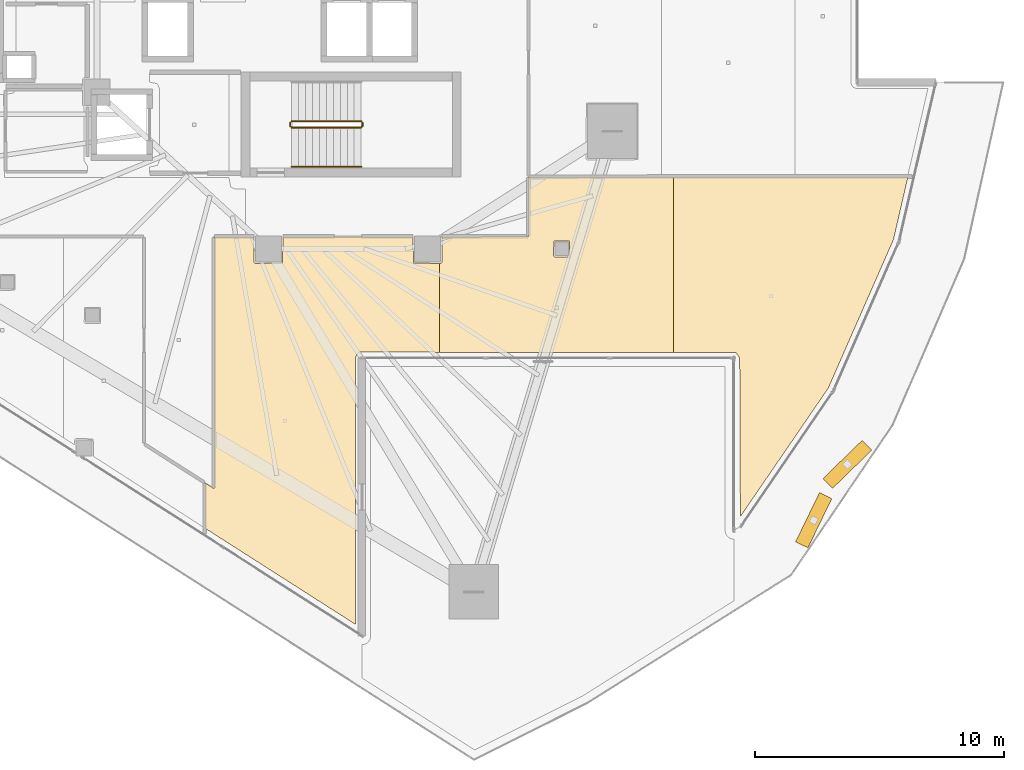
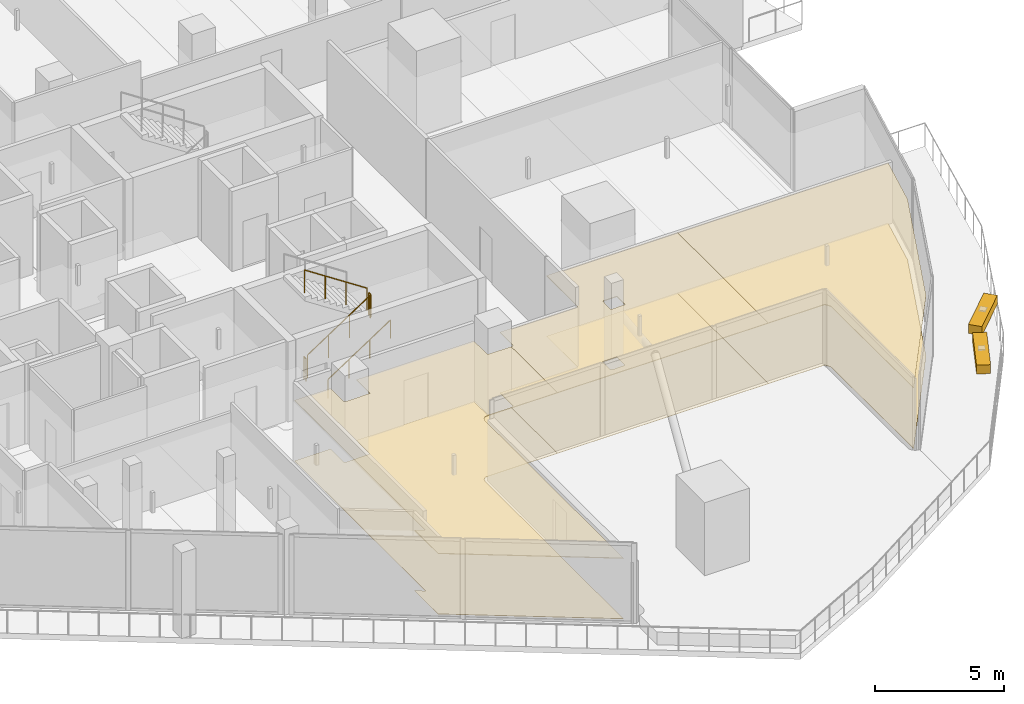
# One storey, part 34 of 38: 6 coverings, 5 railings, 2 shading devices.
"""IFC4 building model written with IfcOpenShell, lengths in metres."""

from ifc_helpers import new_model, si_unit, direction, frame, origin, origin_2d, place, context, subcontext, project, spatial, polyline, rectangle, circle, outline, extrude, material, layer, layer_set, type_object, element, save


model = new_model("IFC4")

# Units and contexts
model_context = context("Model", 3, precision=1e-05, world=origin(), true_north=direction((0.0, 1.0)))
body_context = subcontext(model_context, "Body", "Model", "MODEL_VIEW")
ifc_project = project(units=[si_unit("LENGTHUNIT", "METRE"), si_unit("AREAUNIT", "SQUARE_METRE"), si_unit("VOLUMEUNIT", "CUBIC_METRE"), si_unit("PLANEANGLEUNIT", "RADIAN"), si_unit("MASSUNIT", "GRAM", prefix="KILO")], contexts=[model_context])

# Site, building, storey
site_placement = place(None, origin())
site = spatial("IfcSite", under=ifc_project, at=site_placement, CompositionType="ELEMENT")
building_placement = place(site_placement, origin())
building = spatial("IfcBuilding", under=site, at=building_placement, Name="Qorvath Tower", CompositionType="ELEMENT")
storey_placement = place(building_placement, frame((0.0, 0.0, 158.39990234375)))
storey = spatial("IfcBuildingStorey", under=building, at=storey_placement, Name="L36", CompositionType="ELEMENT", Elevation=158.39990234375)

# Coverings
ifc_material_1 = material(Name="Acoustic mineral fibre ceiling tile", Category="gypsum")
ifc_layer_1 = layer(ifc_material_1, 0.030029296875)
ifc_layer_set_1 = layer_set([ifc_layer_1], Name="COV-CEIL")
covering_type_1 = type_object("IfcCoveringType", Name="COV-CEIL", PredefinedType="CEILING", material=ifc_layer_set_1)
covering_1_placement = place(storey_placement, frame((0.0, 0.0, 2.85009765625)))
element("IfcCovering", 1, at=covering_1_placement, inside=storey, type_object=covering_type_1, Name="L36 Suspended Acoustic Ceiling 026", PredefinedType="CEILING", context=body_context, shape_type="SweptSolid", body=[
    extrude(outline(polyline([(-20.051025390625, -15.697265625), (-19.935546875, -15.60400390625), (-16.724609375, -15.608154296875), (-16.724609375, -12.0341796875), (-17.767333984375, -12.017333984375), (-17.784912109375, -10.962890625), (-23.014892578125, -10.962890625), (-23.032470703125, -12.017333984375), (-24.125, -12.034912109375), (-24.18505859375, -11.97509765625), (-24.18505859375, -10.962890625), (-25.787109375, -10.962890625), (-25.787109375, -21.09130859375), (-26.148193359375, -20.86962890625), (-26.148193359375, -22.687744140625), (-20.094970703125, -26.556640625), (-20.094970703125, -15.840087890625), (-20.051025390625, -15.697265625)])), origin(), (0.0, 0.0, 1.0), 0.030029296875),
])
covering_2_placement = place(storey_placement, frame((0.0, 0.0, 2.85009765625)))
element("IfcCovering", 2, at=covering_2_placement, inside=storey, type_object=covering_type_1, Name="L36 Suspended Acoustic Ceiling 027", PredefinedType="CEILING", context=body_context, shape_type="SweptSolid", body=[
    extrude(outline(polyline([(-16.724609375, -12.0341796875), (-16.724609375, -15.608154296875), (-7.30126953125, -15.620361328125), (-7.30126953125, -8.552978515625), (-13.136962890625, -8.554931640625), (-13.138427734375, -10.96142578125), (-16.614990234375, -10.962890625), (-16.614990234375, -11.97509765625), (-16.675048828125, -12.034912109375), (-16.724609375, -12.0341796875)]), holes=[polyline([(-12.135009765625, -11.72509765625), (-12.117431640625, -11.132568359375), (-11.482666015625, -11.132568359375), (-11.482666015625, -11.767333984375), (-12.074951171875, -11.784912109375), (-12.135009765625, -11.72509765625)])]), origin(), (0.0, 0.0, 1.0), 0.030029296875),
])
covering_3_placement = place(storey_placement, frame((0.0, 0.0, 2.85009765625)))
element("IfcCovering", 3, at=covering_3_placement, inside=storey, type_object=covering_type_1, Name="L36 Suspended Acoustic Ceiling 028", PredefinedType="CEILING", context=body_context, shape_type="SweptSolid", body=[
    extrude(outline(polyline([(-7.30126953125, -8.552978515625), (-7.30126953125, -15.620361328125), (-4.788818359375, -15.623779296875), (-4.64501953125, -15.841064453125), (-4.619384765625, -22.21826171875), (-1.083984375, -17.053466796875), (1.538818359375, -11.07861328125), (2.122314453125, -8.549560546875), (-7.30126953125, -8.552978515625)])), origin(), (0.0, 0.0, 1.0), 0.030029296875),
])
ifc_material_2 = material(Name="Low-VOC modular carpet tile", Category="textile")
ifc_layer_2 = layer(ifc_material_2, 0.014892578125)
ifc_layer_set_2 = layer_set([ifc_layer_2], Name="COV-FLOOR-CPT")
covering_type_2 = type_object("IfcCoveringType", Name="COV-FLOOR-CPT", PredefinedType="FLOORING", material=ifc_layer_set_2)
covering_4_placement = place(storey_placement, origin())
element("IfcCovering", 4, at=covering_4_placement, inside=storey, type_object=covering_type_2, Name="L36 Floor Finish 026", PredefinedType="FLOORING", context=body_context, shape_type="SweptSolid", body=[
    extrude(outline(polyline([(-20.051025390625, -15.697265625), (-19.935546875, -15.60400390625), (-16.724609375, -15.608154296875), (-16.724609375, -12.0341796875), (-17.767333984375, -12.017333984375), (-17.784912109375, -10.962890625), (-23.014892578125, -10.962890625), (-23.032470703125, -12.017333984375), (-24.125, -12.034912109375), (-24.18505859375, -11.97509765625), (-24.18505859375, -10.962890625), (-25.787109375, -10.962890625), (-25.787109375, -21.09130859375), (-26.148193359375, -20.86962890625), (-26.148193359375, -22.687744140625), (-20.094970703125, -26.556640625), (-20.094970703125, -15.840087890625), (-20.051025390625, -15.697265625)])), origin(), (0.0, 0.0, 1.0), 0.01513671875),
])
covering_5_placement = place(storey_placement, origin())
element("IfcCovering", 5, at=covering_5_placement, inside=storey, type_object=covering_type_2, Name="L36 Floor Finish 027", PredefinedType="FLOORING", context=body_context, shape_type="SweptSolid", body=[
    extrude(outline(polyline([(-16.724609375, -12.0341796875), (-16.724609375, -15.608154296875), (-7.30126953125, -15.620361328125), (-7.30126953125, -8.552978515625), (-13.136962890625, -8.554931640625), (-13.138427734375, -10.96142578125), (-16.614990234375, -10.962890625), (-16.614990234375, -11.97509765625), (-16.675048828125, -12.034912109375), (-16.724609375, -12.0341796875)]), holes=[polyline([(-12.135009765625, -11.72509765625), (-12.117431640625, -11.132568359375), (-11.482666015625, -11.132568359375), (-11.482666015625, -11.767333984375), (-12.074951171875, -11.784912109375), (-12.135009765625, -11.72509765625)])]), origin(), (0.0, 0.0, 1.0), 0.01513671875),
])
covering_6_placement = place(storey_placement, origin())
element("IfcCovering", 6, at=covering_6_placement, inside=storey, type_object=covering_type_2, Name="L36 Floor Finish 028", PredefinedType="FLOORING", context=body_context, shape_type="SweptSolid", body=[
    extrude(outline(polyline([(-7.30126953125, -8.552978515625), (-7.30126953125, -15.620361328125), (-4.788818359375, -15.623779296875), (-4.64501953125, -15.841064453125), (-4.619384765625, -22.21826171875), (-1.083984375, -17.053466796875), (1.538818359375, -11.07861328125), (2.122314453125, -8.549560546875), (-7.30126953125, -8.552978515625)])), origin(), (0.0, 0.0, 1.0), 0.01513671875),
])

# Railings
ifc_material_3 = material(Name="Painted galvanised steel", Category="steel")
railing_type_1 = type_object("IfcRailingType", Name="RL-STR-GRD", PredefinedType="GUARDRAIL", material=ifc_material_3)
railing_1_placement = place(storey_placement, frame((-22.669921875, -6.570068359375, 0.18408203125)))
element("IfcRailing", 7, at=railing_1_placement, inside=storey, type_object=railing_type_1, Name="L36 TS2 stair guard 1", PredefinedType="GUARDRAIL", context=body_context, shape_type="SweptSolid", body=[
    extrude(circle(Radius=0.02392578125, at=origin_2d()), frame((0.0, 0.0, 1.076171875), z_axis=(0.835542071712, 0.0, 0.549426470421), x_axis=(0.0, 1.0, 0.0)), (0.0, 0.0, 1.0), 3.350830078125),
    extrude(circle(Radius=0.02099609375, at=origin_2d()), origin(), (0.0, 0.0, 1.0), 1.052001953125),
    extrude(circle(Radius=0.02099609375, at=origin_2d()), frame((0.933349609375, 0.0, 0.61376953125)), (0.0, 0.0, 1.0), 1.052001953125),
    extrude(circle(Radius=0.02099609375, at=origin_2d()), frame((1.866455078125, 0.0, 1.227294921875)), (0.0, 0.0, 1.0), 1.052001953125),
    extrude(circle(Radius=0.02099609375, at=origin_2d()), frame((2.7998046875, 0.0, 1.841064453125)), (0.0, 0.0, 1.0), 1.052001953125),
])
railing_2_placement = place(storey_placement, frame((-19.820068359375, -6.52001953125, 2.025146484375)))
element("IfcRailing", 8, at=railing_2_placement, inside=storey, type_object=railing_type_1, Name="L36 TS2 stair guard 2", PredefinedType="GUARDRAIL", context=body_context, shape_type="SweptSolid", body=[
    extrude(circle(Radius=0.02392578125, at=origin_2d()), frame((0.0, 0.0, 1.076171875), z_axis=(0.0, 1.0, 0.0), x_axis=(-1.0, 0.0, 0.0)), (0.0, 0.0, 1.0), 0.14990234375),
    extrude(circle(Radius=0.02099609375, at=origin_2d()), origin(), (0.0, 0.0, 1.0), 1.052001953125),
    extrude(circle(Radius=0.02099609375, at=origin_2d()), frame((0.0, 0.14990234375, 0.0)), (0.0, 0.0, 1.0), 1.052001953125),
])
railing_3_placement = place(storey_placement, frame((-19.8701171875, -6.320068359375, 2.209228515625)))
element("IfcRailing", 9, at=railing_3_placement, inside=storey, type_object=railing_type_1, Name="L36 TS2 stair guard 3", PredefinedType="GUARDRAIL", context=body_context, shape_type="SweptSolid", body=[
    extrude(circle(Radius=0.02392578125, at=origin_2d()), frame((0.0, 0.0, 1.076171875), z_axis=(-0.835575518608, 0.0, 0.549375602573), x_axis=(0.0, -1.0, 0.0)), (0.0, 0.0, 1.0), 3.350830078125),
    extrude(circle(Radius=0.02099609375, at=origin_2d()), origin(), (0.0, 0.0, 1.0), 1.052001953125),
    extrude(circle(Radius=0.02099609375, at=origin_2d()), frame((-0.933349609375, 0.0, 0.613525390625)), (0.0, 0.0, 1.0), 1.052001953125),
    extrude(circle(Radius=0.02099609375, at=origin_2d()), frame((-1.866455078125, 0.0, 1.227294921875)), (0.0, 0.0, 1.0), 1.052001953125),
    extrude(circle(Radius=0.02099609375, at=origin_2d()), frame((-2.7998046875, 0.0, 1.8408203125)), (0.0, 0.0, 1.0), 1.052001953125),
])
railing_4_placement = place(storey_placement, frame((-22.719970703125, -6.52001953125, 0.0)))
element("IfcRailing", 10, at=railing_4_placement, inside=storey, type_object=railing_type_1, Name="L36 TS2 stair guard 4", PredefinedType="GUARDRAIL", context=body_context, shape_type="SweptSolid", body=[
    extrude(circle(Radius=0.02392578125, at=origin_2d()), frame((0.0, 0.0, 1.076171875), z_axis=(0.0, 1.0, 0.0), x_axis=(-1.0, 0.0, 0.0)), (0.0, 0.0, 1.0), 0.14990234375),
    extrude(circle(Radius=0.02099609375, at=origin_2d()), origin(), (0.0, 0.0, 1.0), 1.052001953125),
    extrude(circle(Radius=0.02099609375, at=origin_2d()), frame((0.0, 0.14990234375, 0.0)), (0.0, 0.0, 1.0), 1.052001953125),
])
ifc_material_4 = material(Name="Brushed stainless steel AISI 304", Category="steel")
railing_type_2 = type_object("IfcRailingType", Name="RL-STR-HND", PredefinedType="HANDRAIL", material=ifc_material_4)
railing_5_placement = place(storey_placement, frame((-22.669921875, -8.14990234375, 0.18408203125)))
element("IfcRailing", 11, at=railing_5_placement, inside=storey, type_object=railing_type_2, Name="L36 TS2 stair handrail 1", PredefinedType="HANDRAIL", context=body_context, shape_type="SweptSolid", body=[
    extrude(circle(Radius=0.02392578125, at=origin_2d()), frame((0.0, 0.0, 0.8759765625), z_axis=(0.835542071712, 0.0, 0.549426470421), x_axis=(0.0, 1.0, 0.0)), (0.0, 0.0, 1.0), 3.350830078125),
    extrude(circle(Radius=0.02099609375, at=origin_2d()), origin(), (0.0, 0.0, 1.0), 0.851806640625),
    extrude(circle(Radius=0.02099609375, at=origin_2d()), frame((0.933349609375, 0.0, 0.61376953125)), (0.0, 0.0, 1.0), 0.851806640625),
    extrude(circle(Radius=0.02099609375, at=origin_2d()), frame((1.866455078125, 0.0, 1.227294921875)), (0.0, 0.0, 1.0), 0.851806640625),
    extrude(circle(Radius=0.02099609375, at=origin_2d()), frame((2.7998046875, 0.0, 1.841064453125)), (0.0, 0.0, 1.0), 0.851806640625),
])

# Shading devices
ifc_material_5 = material(Name="Anodised bronze-champagne aluminium", Category="aluminium")
shading_device_type = type_object("IfcShadingDeviceType", Name="SD-LOUVRE", PredefinedType="JALOUSIE", material=ifc_material_5)
for number, where, z_axis, x_axis, name in (
    (12, (-1.667724609375, -22.36328125, 3.360107421875), (0.0, 0.0, 1.0), (0.436954074484, 0.899483816859, 0.0), "Sinusoidal Wave Louvre Blade L36-03"),
    (13, (-0.313720703125, -20.116455078125, 3.360107421875), (0.0, 0.0, 1.0), (0.716646514405, 0.697436573024, 0.0), "Sinusoidal Wave Louvre Blade L36-04"),
):
    element("IfcShadingDevice", number, at=place(storey_placement, frame(where, z_axis=z_axis, x_axis=x_axis)), inside=storey, type_object=shading_device_type, Name=name, PredefinedType="NOTDEFINED", context=body_context, shape_type="SweptSolid", body=[
        extrude(rectangle(XDim=2.199951171875, YDim=0.550048828125, at=origin_2d()), origin(), (0.0, 0.0, 1.0), 0.419921875),
    ])

save(model, "model.ifc")
